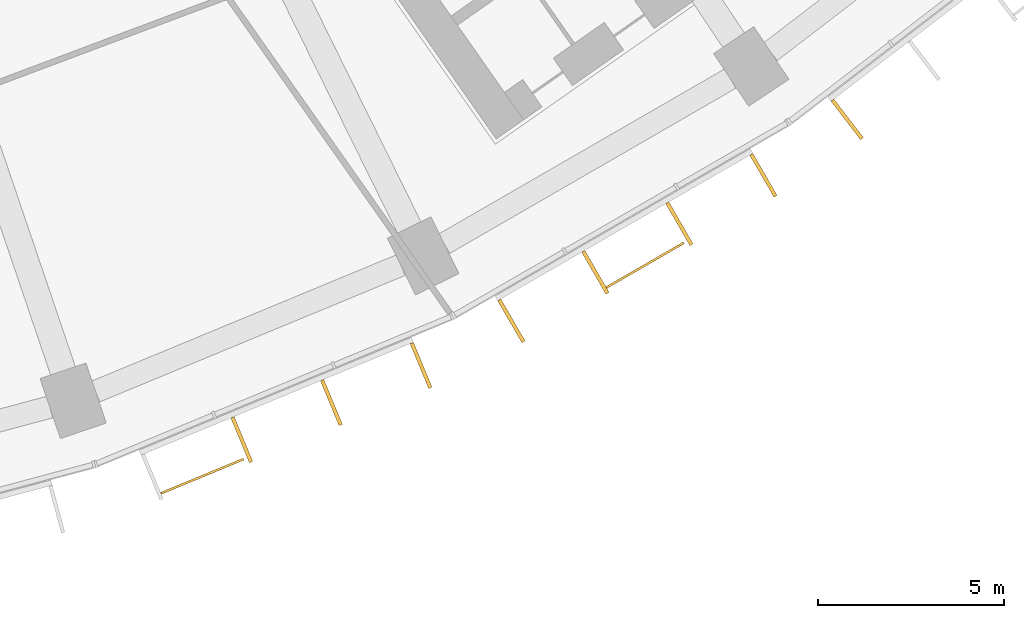
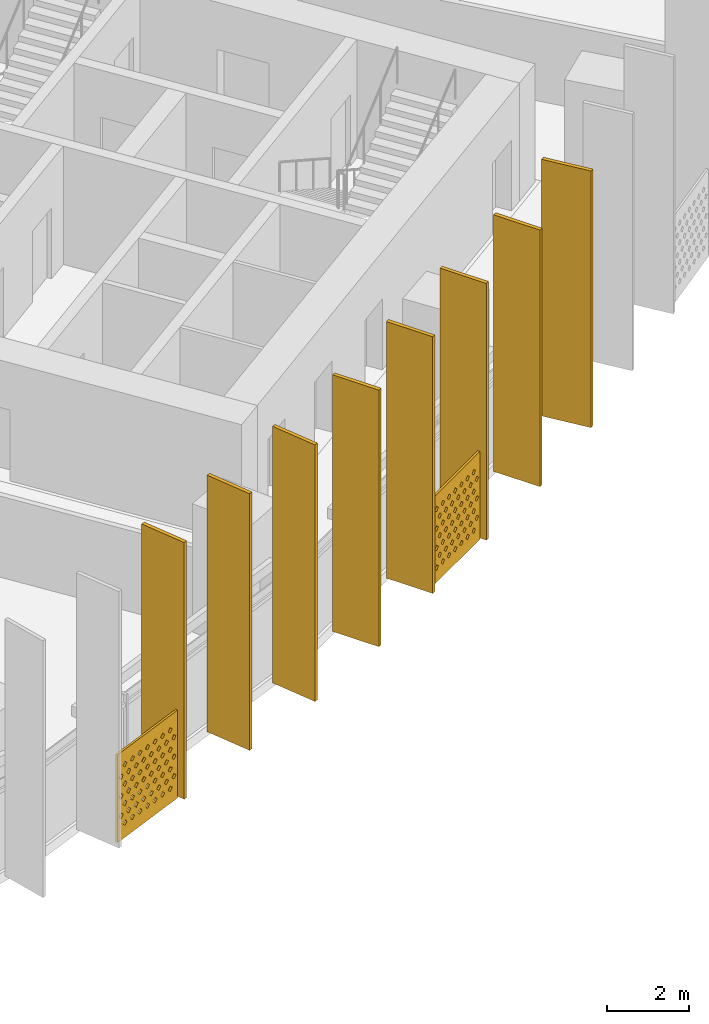
# One storey, part 31 of 33: 10 shading devices.
"""IFC4 building model written with IfcOpenShell, lengths in metres."""

import ifcopenshell
import ifcopenshell.guid

model = None  # the IFC model being written
_history = None  # IfcOwnerHistory: only IFC2X3 demands one
_inside = {}  # id of a spatial element -> (the spatial element, [elements in it])
_under = {}  # id of a project, library or spatial element -> (it, [spatial elements below it])
_declared = {}  # id of a project -> (the project, [libraries it declares])
_typed = {}  # id of a type object -> (the type object, [elements of that type])
_made_of = {}  # id of a material, layer set ... -> (it, [elements and type objects made of it])


def new_model(schema):
    """Start an empty IFC model of exactly this schema.

    Asked for "IFC4X3", IfcOpenShell would pick the latest addendum, in which some entities
    have other attributes; the version numbers below select the first issue.
    IFC2X3 requires an IfcOwnerHistory on every rooted entity: one is made here for all.
    """
    global model, _history
    if schema == "IFC4X3":
        model = ifcopenshell.file(schema_version=(4, 3, 0, 0))
    else:
        model = ifcopenshell.file(schema=schema)
    _inside.clear()
    _under.clear()
    _declared.clear()
    _typed.clear()
    _made_of.clear()
    _history = None
    if model.schema == "IFC2X3":
        org = make("IfcOrganization", Name="unknown")
        user = make(
            "IfcPersonAndOrganization",
            ThePerson=make("IfcPerson", FamilyName="unknown"),
            TheOrganization=org,
        )
        app = make(
            "IfcApplication",
            ApplicationDeveloper=org,
            Version="unknown",
            ApplicationFullName="unknown",
            ApplicationIdentifier="unknown",
        )
        _history = make(
            "IfcOwnerHistory",
            OwningUser=user,
            OwningApplication=app,
            ChangeAction="ADDED",
            CreationDate=0,
        )
    return model


def make(cls, **values):
    """One entity of the class cls with the attributes given. An attribute that is None is left unset."""
    return model.create_entity(
        cls, **{name: value for name, value in values.items() if value is not None}
    )


def rooted(cls, **values):
    """An entity with a GlobalId (a new one), such as an element, a storey or a relation."""
    return make(cls, GlobalId=ifcopenshell.guid.new(), OwnerHistory=_history, **values)


def si_unit(unit_type, name, prefix=None):
    """IfcSIUnit, for example si_unit("LENGTHUNIT", "METRE", prefix="MILLI")."""
    return make("IfcSIUnit", UnitType=unit_type, Prefix=prefix, Name=name)


def assignment(units):
    """IfcUnitAssignment: the units of a project."""
    return None if units is None else make("IfcUnitAssignment", Units=units)


def point(xyz):
    """IfcCartesianPoint."""
    return None if xyz is None else make("IfcCartesianPoint", Coordinates=xyz)


def direction(xyz):
    """IfcDirection."""
    return None if xyz is None else make("IfcDirection", DirectionRatios=xyz)


def frame(location, z_axis=None, x_axis=None):
    """IfcAxis2Placement3D, a coordinate frame: its origin and axes. An axis left out is left unset."""
    return make(
        "IfcAxis2Placement3D",
        Location=point(location),
        Axis=direction(z_axis),
        RefDirection=direction(x_axis),
    )


def frame_2d(location, x_axis=None):
    """IfcAxis2Placement2D, a coordinate frame in the plane: its origin and x axis."""
    return make(
        "IfcAxis2Placement2D", Location=point(location), RefDirection=direction(x_axis)
    )


def origin():
    """The frame at (0, 0, 0) with its axes left unset."""
    return frame((0.0, 0.0, 0.0))


def origin_2d():
    """The frame at (0, 0) in the plane with its x axis left unset."""
    return frame_2d((0.0, 0.0))


def place(relative_to, where):
    """IfcLocalPlacement: puts the frame where relative to a parent placement (None: the world)."""
    return make(
        "IfcLocalPlacement", PlacementRelTo=relative_to, RelativePlacement=where
    )


def context(
    kind, dimensions, precision=None, world=None, true_north=None, identifier=None
):
    """IfcGeometricRepresentationContext, for example the 3D "Model" context."""
    return make(
        "IfcGeometricRepresentationContext",
        ContextIdentifier=identifier,
        ContextType=kind,
        CoordinateSpaceDimension=dimensions,
        Precision=precision,
        WorldCoordinateSystem=world,
        TrueNorth=true_north,
    )


def subcontext(parent, identifier, kind, view, scale=None):
    """IfcGeometricRepresentationSubContext, for example "Body" below "Model"."""
    return make(
        "IfcGeometricRepresentationSubContext",
        ContextIdentifier=identifier,
        ContextType=kind,
        ParentContext=parent,
        TargetScale=scale,
        TargetView=view,
    )


def project(units=None, contexts=None):
    """IfcProject with its units and contexts."""
    return rooted(
        "IfcProject",
        Name="project",
        RepresentationContexts=contexts,
        UnitsInContext=assignment(units),
    )


def spatial(cls, under=None, at=None, **own):
    """A site, building, storey or space (cls), placed at a placement, below another one or the project."""
    s = rooted(cls, ObjectPlacement=at, **own)
    if under is not None:
        _under.setdefault(under.id(), (under, []))[1].append(s)
    return s


def polyline(points):
    """IfcPolyline through the points."""
    return make("IfcPolyline", Points=[point(p) for p in points])


def profile(cls, at=None, kind="AREA", **sizes):
    """A parametric profile (cls). Its sizes go by their IFC names, for example OverallWidth=200.0."""
    return make(cls, ProfileType=kind, Position=at, **sizes)


def rectangle(**sizes):
    """IfcRectangleProfileDef."""
    return profile("IfcRectangleProfileDef", **sizes)


def outline(outer, holes=None, kind="AREA"):
    """IfcArbitraryClosedProfileDef: a profile drawn as a closed curve; with holes, ...WithVoids."""
    if holes is None:
        return make("IfcArbitraryClosedProfileDef", ProfileType=kind, OuterCurve=outer)
    return make(
        "IfcArbitraryProfileDefWithVoids",
        ProfileType=kind,
        OuterCurve=outer,
        InnerCurves=holes,
    )


def extrude(swept, where, along, depth):
    """IfcExtrudedAreaSolid: the profile swept, set in the frame where, extruded along a direction by depth."""
    return make(
        "IfcExtrudedAreaSolid",
        SweptArea=swept,
        Position=where,
        ExtrudedDirection=direction(along),
        Depth=depth,
    )


def shape(context_of_items, identifier, shape_type, items):
    """IfcShapeRepresentation: the items that make up one representation, for example the "Body"."""
    return make(
        "IfcShapeRepresentation",
        ContextOfItems=context_of_items,
        RepresentationIdentifier=identifier,
        RepresentationType=shape_type,
        Items=items,
    )


def material(Name=None, Category=None):
    """IfcMaterial."""
    return make("IfcMaterial", Name=Name, Category=Category)


def material_profile(
    of_material, cross_section, Name=None, Category=None, Priority=None
):
    """IfcMaterialProfile: a cross section and its material."""
    return make(
        "IfcMaterialProfile",
        Name=Name,
        Material=of_material,
        Profile=cross_section,
        Priority=Priority,
        Category=Category,
    )


def profile_set(profiles, Name=None, composite=None):
    """IfcMaterialProfileSet."""
    return make(
        "IfcMaterialProfileSet",
        Name=Name,
        MaterialProfiles=profiles,
        CompositeProfile=composite,
    )


def made_of(thing, what):
    """Note that an element or type object is made of a material, layer set ...; save() writes the relation."""
    if what is not None:
        _made_of.setdefault(what.id(), (what, []))[1].append(thing)
    return thing


def type_object(cls, material=None, **own):
    """A type object (cls), such as IfcWallType, which elements share."""
    return made_of(rooted(cls, **own), material)


def element(
    cls,
    number,
    at=None,
    inside=None,
    cuts=None,
    type_object=None,
    material=None,
    context=None,
    identifier="Body",
    shape_type=None,
    held_by="IfcProductDefinitionShape",
    body=None,
    shapes=None,
    **own,
):
    """One element of the class cls, such as IfcWall. Its Tag is "e" and its number.

    at: its placement. inside: the storey or other place that contains it. cuts: it is an
    opening in that element (IfcRelVoidsElement). A single representation is given by context,
    identifier, shape_type and body (its items); several are given by shapes. held_by: the class
    of the entity that holds the representations. save() writes the other relations.
    """
    e = rooted(cls, Tag="e%d" % number, ObjectPlacement=at, **own)
    if body is not None:
        shapes = [shape(context, identifier, shape_type, body)]
    if shapes is not None:
        e.Representation = make(held_by, Representations=shapes)
    if inside is not None:
        _inside.setdefault(inside.id(), (inside, []))[1].append(e)
    if cuts is not None:
        rooted(
            "IfcRelVoidsElement", RelatingBuildingElement=cuts, RelatedOpeningElement=e
        )
    if type_object is not None:
        _typed.setdefault(type_object.id(), (type_object, []))[1].append(e)
    return made_of(e, material)


def aggregate(whole, parts):
    """IfcRelAggregates: a whole, such as a stair, and the parts it consists of."""
    return rooted("IfcRelAggregates", RelatingObject=whole, RelatedObjects=parts)


def save(model, path):
    """Write the relations noted so far, then the file.

    IfcRelAggregates (storeys below a building ...), IfcRelContainedInSpatialStructure (elements
    in a storey), IfcRelDefinesByType, IfcRelAssociatesMaterial and IfcRelDeclares: one each for
    every whole, place, type object, material and project.
    """
    for whole, parts in _under.values():
        aggregate(whole, parts)
    for where, things in _inside.values():
        rooted(
            "IfcRelContainedInSpatialStructure",
            RelatedElements=things,
            RelatingStructure=where,
        )
    for kind, things in _typed.values():
        rooted("IfcRelDefinesByType", RelatedObjects=things, RelatingType=kind)
    for what, things in _made_of.values():
        rooted("IfcRelAssociatesMaterial", RelatedObjects=things, RelatingMaterial=what)
    for by, libraries in _declared.values():
        rooted("IfcRelDeclares", RelatingContext=by, RelatedDefinitions=libraries)
    model.write(path)


model = new_model("IFC4")

# Units and contexts
model_context = context("Model", 3, precision=1e-05, world=origin(), true_north=direction((0.0, 1.0)))
body_context = subcontext(model_context, "Body", "Model", "MODEL_VIEW")
ifc_project = project(units=[si_unit("LENGTHUNIT", "METRE"), si_unit("AREAUNIT", "SQUARE_METRE"), si_unit("VOLUMEUNIT", "CUBIC_METRE"), si_unit("PLANEANGLEUNIT", "RADIAN"), si_unit("MASSUNIT", "GRAM", prefix="KILO")], contexts=[model_context])

# Site, building, storey
site_placement = place(None, origin())
site = spatial("IfcSite", under=ifc_project, at=site_placement, CompositionType="ELEMENT")
building_placement = place(site_placement, origin())
building = spatial("IfcBuilding", under=site, at=building_placement, Name="Qamariyya Broadcast Tower", CompositionType="ELEMENT")
storey_placement = place(building_placement, frame((0.0, 0.0, 78.5)))
storey = spatial("IfcBuildingStorey", under=building, at=storey_placement, Name="L16", CompositionType="ELEMENT", Elevation=78.5)

# Shading devices
ifc_material_1 = material(Name="Perforated glazed terracotta", Category="masonry")
ifc_material_profile_1 = material_profile(ifc_material_1, outline(polyline([(-1.199951171875, -1.300048828125), (1.199951171875, -1.300048828125), (1.199951171875, 1.300048828125), (-1.199951171875, 1.300048828125), (-1.199951171875, -1.300048828125)]), holes=[polyline([(-0.81494140625, -0.86669921875), (-0.89990234375, -0.78173828125), (-0.985107421875, -0.86669921875), (-0.89990234375, -0.95166015625), (-0.81494140625, -0.86669921875)]), polyline([(-0.514892578125, -0.86669921875), (-0.60009765625, -0.78173828125), (-0.68505859375, -0.86669921875), (-0.60009765625, -0.95166015625), (-0.514892578125, -0.86669921875)]), polyline([(-0.215087890625, -0.86669921875), (-0.300048828125, -0.78173828125), (-0.385009765625, -0.86669921875), (-0.300048828125, -0.95166015625), (-0.215087890625, -0.86669921875)]), polyline([(0.0849609375, -0.86669921875), (0.0, -0.78173828125), (-0.0849609375, -0.86669921875), (0.0, -0.95166015625), (0.0849609375, -0.86669921875)]), polyline([(0.385009765625, -0.86669921875), (0.300048828125, -0.78173828125), (0.215087890625, -0.86669921875), (0.300048828125, -0.95166015625), (0.385009765625, -0.86669921875)]), polyline([(0.68505859375, -0.86669921875), (0.60009765625, -0.78173828125), (0.514892578125, -0.86669921875), (0.60009765625, -0.95166015625), (0.68505859375, -0.86669921875)]), polyline([(0.985107421875, -0.86669921875), (0.89990234375, -0.78173828125), (0.81494140625, -0.86669921875), (0.89990234375, -0.95166015625), (0.985107421875, -0.86669921875)]), polyline([(-0.965087890625, -0.577880859375), (-1.050048828125, -0.49267578125), (-1.135009765625, -0.577880859375), (-1.050048828125, -0.662841796875), (-0.965087890625, -0.577880859375)]), polyline([(-0.6650390625, -0.577880859375), (-0.75, -0.49267578125), (-0.8349609375, -0.577880859375), (-0.75, -0.662841796875), (-0.6650390625, -0.577880859375)]), polyline([(-0.364990234375, -0.577880859375), (-0.449951171875, -0.49267578125), (-0.534912109375, -0.577880859375), (-0.449951171875, -0.662841796875), (-0.364990234375, -0.577880859375)]), polyline([(-0.06494140625, -0.577880859375), (-0.14990234375, -0.49267578125), (-0.235107421875, -0.577880859375), (-0.14990234375, -0.662841796875), (-0.06494140625, -0.577880859375)]), polyline([(0.235107421875, -0.577880859375), (0.14990234375, -0.49267578125), (0.06494140625, -0.577880859375), (0.14990234375, -0.662841796875), (0.235107421875, -0.577880859375)]), polyline([(0.534912109375, -0.577880859375), (0.449951171875, -0.49267578125), (0.364990234375, -0.577880859375), (0.449951171875, -0.662841796875), (0.534912109375, -0.577880859375)]), polyline([(0.8349609375, -0.577880859375), (0.75, -0.49267578125), (0.6650390625, -0.577880859375), (0.75, -0.662841796875), (0.8349609375, -0.577880859375)]), polyline([(1.135009765625, -0.577880859375), (1.050048828125, -0.49267578125), (0.965087890625, -0.577880859375), (1.050048828125, -0.662841796875), (1.135009765625, -0.577880859375)]), polyline([(-0.81494140625, -0.288818359375), (-0.89990234375, -0.203857421875), (-0.985107421875, -0.288818359375), (-0.89990234375, -0.373779296875), (-0.81494140625, -0.288818359375)]), polyline([(-0.514892578125, -0.288818359375), (-0.60009765625, -0.203857421875), (-0.68505859375, -0.288818359375), (-0.60009765625, -0.373779296875), (-0.514892578125, -0.288818359375)]), polyline([(-0.215087890625, -0.288818359375), (-0.300048828125, -0.203857421875), (-0.385009765625, -0.288818359375), (-0.300048828125, -0.373779296875), (-0.215087890625, -0.288818359375)]), polyline([(0.0849609375, -0.288818359375), (0.0, -0.203857421875), (-0.0849609375, -0.288818359375), (0.0, -0.373779296875), (0.0849609375, -0.288818359375)]), polyline([(0.385009765625, -0.288818359375), (0.300048828125, -0.203857421875), (0.215087890625, -0.288818359375), (0.300048828125, -0.373779296875), (0.385009765625, -0.288818359375)]), polyline([(0.68505859375, -0.288818359375), (0.60009765625, -0.203857421875), (0.514892578125, -0.288818359375), (0.60009765625, -0.373779296875), (0.68505859375, -0.288818359375)]), polyline([(0.985107421875, -0.288818359375), (0.89990234375, -0.203857421875), (0.81494140625, -0.288818359375), (0.89990234375, -0.373779296875), (0.985107421875, -0.288818359375)]), polyline([(-0.965087890625, 0.0), (-1.050048828125, 0.0849609375), (-1.135009765625, 0.0), (-1.050048828125, -0.0849609375), (-0.965087890625, 0.0)]), polyline([(-0.6650390625, 0.0), (-0.75, 0.0849609375), (-0.8349609375, 0.0), (-0.75, -0.0849609375), (-0.6650390625, 0.0)]), polyline([(-0.364990234375, 0.0), (-0.449951171875, 0.0849609375), (-0.534912109375, 0.0), (-0.449951171875, -0.0849609375), (-0.364990234375, 0.0)]), polyline([(-0.06494140625, 0.0), (-0.14990234375, 0.0849609375), (-0.235107421875, 0.0), (-0.14990234375, -0.0849609375), (-0.06494140625, 0.0)]), polyline([(0.235107421875, 0.0), (0.14990234375, 0.0849609375), (0.06494140625, 0.0), (0.14990234375, -0.0849609375), (0.235107421875, 0.0)]), polyline([(0.534912109375, 0.0), (0.449951171875, 0.0849609375), (0.364990234375, 0.0), (0.449951171875, -0.0849609375), (0.534912109375, 0.0)]), polyline([(0.8349609375, 0.0), (0.75, 0.0849609375), (0.6650390625, 0.0), (0.75, -0.0849609375), (0.8349609375, 0.0)]), polyline([(1.135009765625, 0.0), (1.050048828125, 0.0849609375), (0.965087890625, 0.0), (1.050048828125, -0.0849609375), (1.135009765625, 0.0)]), polyline([(-0.81494140625, 0.288818359375), (-0.89990234375, 0.373779296875), (-0.985107421875, 0.288818359375), (-0.89990234375, 0.203857421875), (-0.81494140625, 0.288818359375)]), polyline([(-0.514892578125, 0.288818359375), (-0.60009765625, 0.373779296875), (-0.68505859375, 0.288818359375), (-0.60009765625, 0.203857421875), (-0.514892578125, 0.288818359375)]), polyline([(-0.215087890625, 0.288818359375), (-0.300048828125, 0.373779296875), (-0.385009765625, 0.288818359375), (-0.300048828125, 0.203857421875), (-0.215087890625, 0.288818359375)]), polyline([(0.0849609375, 0.288818359375), (0.0, 0.373779296875), (-0.0849609375, 0.288818359375), (0.0, 0.203857421875), (0.0849609375, 0.288818359375)]), polyline([(0.385009765625, 0.288818359375), (0.300048828125, 0.373779296875), (0.215087890625, 0.288818359375), (0.300048828125, 0.203857421875), (0.385009765625, 0.288818359375)]), polyline([(0.68505859375, 0.288818359375), (0.60009765625, 0.373779296875), (0.514892578125, 0.288818359375), (0.60009765625, 0.203857421875), (0.68505859375, 0.288818359375)]), polyline([(0.985107421875, 0.288818359375), (0.89990234375, 0.373779296875), (0.81494140625, 0.288818359375), (0.89990234375, 0.203857421875), (0.985107421875, 0.288818359375)]), polyline([(-0.965087890625, 0.577880859375), (-1.050048828125, 0.662841796875), (-1.135009765625, 0.577880859375), (-1.050048828125, 0.49267578125), (-0.965087890625, 0.577880859375)]), polyline([(-0.6650390625, 0.577880859375), (-0.75, 0.662841796875), (-0.8349609375, 0.577880859375), (-0.75, 0.49267578125), (-0.6650390625, 0.577880859375)]), polyline([(-0.364990234375, 0.577880859375), (-0.449951171875, 0.662841796875), (-0.534912109375, 0.577880859375), (-0.449951171875, 0.49267578125), (-0.364990234375, 0.577880859375)]), polyline([(-0.06494140625, 0.577880859375), (-0.14990234375, 0.662841796875), (-0.235107421875, 0.577880859375), (-0.14990234375, 0.49267578125), (-0.06494140625, 0.577880859375)]), polyline([(0.235107421875, 0.577880859375), (0.14990234375, 0.662841796875), (0.06494140625, 0.577880859375), (0.14990234375, 0.49267578125), (0.235107421875, 0.577880859375)]), polyline([(0.534912109375, 0.577880859375), (0.449951171875, 0.662841796875), (0.364990234375, 0.577880859375), (0.449951171875, 0.49267578125), (0.534912109375, 0.577880859375)]), polyline([(0.8349609375, 0.577880859375), (0.75, 0.662841796875), (0.6650390625, 0.577880859375), (0.75, 0.49267578125), (0.8349609375, 0.577880859375)]), polyline([(1.135009765625, 0.577880859375), (1.050048828125, 0.662841796875), (0.965087890625, 0.577880859375), (1.050048828125, 0.49267578125), (1.135009765625, 0.577880859375)]), polyline([(-0.81494140625, 0.86669921875), (-0.89990234375, 0.95166015625), (-0.985107421875, 0.86669921875), (-0.89990234375, 0.78173828125), (-0.81494140625, 0.86669921875)]), polyline([(-0.514892578125, 0.86669921875), (-0.60009765625, 0.95166015625), (-0.68505859375, 0.86669921875), (-0.60009765625, 0.78173828125), (-0.514892578125, 0.86669921875)]), polyline([(-0.215087890625, 0.86669921875), (-0.300048828125, 0.95166015625), (-0.385009765625, 0.86669921875), (-0.300048828125, 0.78173828125), (-0.215087890625, 0.86669921875)]), polyline([(0.0849609375, 0.86669921875), (0.0, 0.95166015625), (-0.0849609375, 0.86669921875), (0.0, 0.78173828125), (0.0849609375, 0.86669921875)]), polyline([(0.385009765625, 0.86669921875), (0.300048828125, 0.95166015625), (0.215087890625, 0.86669921875), (0.300048828125, 0.78173828125), (0.385009765625, 0.86669921875)]), polyline([(0.68505859375, 0.86669921875), (0.60009765625, 0.95166015625), (0.514892578125, 0.86669921875), (0.60009765625, 0.78173828125), (0.68505859375, 0.86669921875)]), polyline([(0.985107421875, 0.86669921875), (0.89990234375, 0.95166015625), (0.81494140625, 0.86669921875), (0.89990234375, 0.78173828125), (0.985107421875, 0.86669921875)])]))
ifc_profile_set_1 = profile_set([ifc_material_profile_1], Name="Perforated glazed terracotta")
shading_device_type_1 = type_object("IfcShadingDeviceType", Name="Perforated terracotta screen 2400 x 2600", PredefinedType="USERDEFINED", material=ifc_profile_set_1)
shading_device_1_placement = place(storey_placement, frame((28.44677734375, -75.61962890625, 1.35009765625), z_axis=(0.382591441855, -0.923917630863, 0.0), x_axis=(0.923917630863, 0.382591441855, 0.0)))
element("IfcShadingDevice", 1, at=shading_device_1_placement, inside=storey, type_object=shading_device_type_1, Name="e-scr-L16-11-0", ObjectType="SCREEN", PredefinedType="USERDEFINED", context=body_context, shape_type="SweptSolid", body=[
    extrude(outline(polyline([(-1.199951171875, -1.300048828125), (1.199951171875, -1.300048828125), (1.199951171875, 1.300048828125), (-1.199951171875, 1.300048828125), (-1.199951171875, -1.300048828125)]), holes=[polyline([(-0.81494140625, -0.86669921875), (-0.89990234375, -0.78173828125), (-0.985107421875, -0.86669921875), (-0.89990234375, -0.95166015625), (-0.81494140625, -0.86669921875)]), polyline([(-0.514892578125, -0.86669921875), (-0.60009765625, -0.78173828125), (-0.68505859375, -0.86669921875), (-0.60009765625, -0.95166015625), (-0.514892578125, -0.86669921875)]), polyline([(-0.215087890625, -0.86669921875), (-0.300048828125, -0.78173828125), (-0.385009765625, -0.86669921875), (-0.300048828125, -0.95166015625), (-0.215087890625, -0.86669921875)]), polyline([(0.0849609375, -0.86669921875), (0.0, -0.78173828125), (-0.0849609375, -0.86669921875), (0.0, -0.95166015625), (0.0849609375, -0.86669921875)]), polyline([(0.385009765625, -0.86669921875), (0.300048828125, -0.78173828125), (0.215087890625, -0.86669921875), (0.300048828125, -0.95166015625), (0.385009765625, -0.86669921875)]), polyline([(0.68505859375, -0.86669921875), (0.60009765625, -0.78173828125), (0.514892578125, -0.86669921875), (0.60009765625, -0.95166015625), (0.68505859375, -0.86669921875)]), polyline([(0.985107421875, -0.86669921875), (0.89990234375, -0.78173828125), (0.81494140625, -0.86669921875), (0.89990234375, -0.95166015625), (0.985107421875, -0.86669921875)]), polyline([(-0.965087890625, -0.577880859375), (-1.050048828125, -0.49267578125), (-1.135009765625, -0.577880859375), (-1.050048828125, -0.662841796875), (-0.965087890625, -0.577880859375)]), polyline([(-0.6650390625, -0.577880859375), (-0.75, -0.49267578125), (-0.8349609375, -0.577880859375), (-0.75, -0.662841796875), (-0.6650390625, -0.577880859375)]), polyline([(-0.364990234375, -0.577880859375), (-0.449951171875, -0.49267578125), (-0.534912109375, -0.577880859375), (-0.449951171875, -0.662841796875), (-0.364990234375, -0.577880859375)]), polyline([(-0.06494140625, -0.577880859375), (-0.14990234375, -0.49267578125), (-0.235107421875, -0.577880859375), (-0.14990234375, -0.662841796875), (-0.06494140625, -0.577880859375)]), polyline([(0.235107421875, -0.577880859375), (0.14990234375, -0.49267578125), (0.06494140625, -0.577880859375), (0.14990234375, -0.662841796875), (0.235107421875, -0.577880859375)]), polyline([(0.534912109375, -0.577880859375), (0.449951171875, -0.49267578125), (0.364990234375, -0.577880859375), (0.449951171875, -0.662841796875), (0.534912109375, -0.577880859375)]), polyline([(0.8349609375, -0.577880859375), (0.75, -0.49267578125), (0.6650390625, -0.577880859375), (0.75, -0.662841796875), (0.8349609375, -0.577880859375)]), polyline([(1.135009765625, -0.577880859375), (1.050048828125, -0.49267578125), (0.965087890625, -0.577880859375), (1.050048828125, -0.662841796875), (1.135009765625, -0.577880859375)]), polyline([(-0.81494140625, -0.288818359375), (-0.89990234375, -0.203857421875), (-0.985107421875, -0.288818359375), (-0.89990234375, -0.373779296875), (-0.81494140625, -0.288818359375)]), polyline([(-0.514892578125, -0.288818359375), (-0.60009765625, -0.203857421875), (-0.68505859375, -0.288818359375), (-0.60009765625, -0.373779296875), (-0.514892578125, -0.288818359375)]), polyline([(-0.215087890625, -0.288818359375), (-0.300048828125, -0.203857421875), (-0.385009765625, -0.288818359375), (-0.300048828125, -0.373779296875), (-0.215087890625, -0.288818359375)]), polyline([(0.0849609375, -0.288818359375), (0.0, -0.203857421875), (-0.0849609375, -0.288818359375), (0.0, -0.373779296875), (0.0849609375, -0.288818359375)]), polyline([(0.385009765625, -0.288818359375), (0.300048828125, -0.203857421875), (0.215087890625, -0.288818359375), (0.300048828125, -0.373779296875), (0.385009765625, -0.288818359375)]), polyline([(0.68505859375, -0.288818359375), (0.60009765625, -0.203857421875), (0.514892578125, -0.288818359375), (0.60009765625, -0.373779296875), (0.68505859375, -0.288818359375)]), polyline([(0.985107421875, -0.288818359375), (0.89990234375, -0.203857421875), (0.81494140625, -0.288818359375), (0.89990234375, -0.373779296875), (0.985107421875, -0.288818359375)]), polyline([(-0.965087890625, 0.0), (-1.050048828125, 0.0849609375), (-1.135009765625, 0.0), (-1.050048828125, -0.0849609375), (-0.965087890625, 0.0)]), polyline([(-0.6650390625, 0.0), (-0.75, 0.0849609375), (-0.8349609375, 0.0), (-0.75, -0.0849609375), (-0.6650390625, 0.0)]), polyline([(-0.364990234375, 0.0), (-0.449951171875, 0.0849609375), (-0.534912109375, 0.0), (-0.449951171875, -0.0849609375), (-0.364990234375, 0.0)]), polyline([(-0.06494140625, 0.0), (-0.14990234375, 0.0849609375), (-0.235107421875, 0.0), (-0.14990234375, -0.0849609375), (-0.06494140625, 0.0)]), polyline([(0.235107421875, 0.0), (0.14990234375, 0.0849609375), (0.06494140625, 0.0), (0.14990234375, -0.0849609375), (0.235107421875, 0.0)]), polyline([(0.534912109375, 0.0), (0.449951171875, 0.0849609375), (0.364990234375, 0.0), (0.449951171875, -0.0849609375), (0.534912109375, 0.0)]), polyline([(0.8349609375, 0.0), (0.75, 0.0849609375), (0.6650390625, 0.0), (0.75, -0.0849609375), (0.8349609375, 0.0)]), polyline([(1.135009765625, 0.0), (1.050048828125, 0.0849609375), (0.965087890625, 0.0), (1.050048828125, -0.0849609375), (1.135009765625, 0.0)]), polyline([(-0.81494140625, 0.288818359375), (-0.89990234375, 0.373779296875), (-0.985107421875, 0.288818359375), (-0.89990234375, 0.203857421875), (-0.81494140625, 0.288818359375)]), polyline([(-0.514892578125, 0.288818359375), (-0.60009765625, 0.373779296875), (-0.68505859375, 0.288818359375), (-0.60009765625, 0.203857421875), (-0.514892578125, 0.288818359375)]), polyline([(-0.215087890625, 0.288818359375), (-0.300048828125, 0.373779296875), (-0.385009765625, 0.288818359375), (-0.300048828125, 0.203857421875), (-0.215087890625, 0.288818359375)]), polyline([(0.0849609375, 0.288818359375), (0.0, 0.373779296875), (-0.0849609375, 0.288818359375), (0.0, 0.203857421875), (0.0849609375, 0.288818359375)]), polyline([(0.385009765625, 0.288818359375), (0.300048828125, 0.373779296875), (0.215087890625, 0.288818359375), (0.300048828125, 0.203857421875), (0.385009765625, 0.288818359375)]), polyline([(0.68505859375, 0.288818359375), (0.60009765625, 0.373779296875), (0.514892578125, 0.288818359375), (0.60009765625, 0.203857421875), (0.68505859375, 0.288818359375)]), polyline([(0.985107421875, 0.288818359375), (0.89990234375, 0.373779296875), (0.81494140625, 0.288818359375), (0.89990234375, 0.203857421875), (0.985107421875, 0.288818359375)]), polyline([(-0.965087890625, 0.577880859375), (-1.050048828125, 0.662841796875), (-1.135009765625, 0.577880859375), (-1.050048828125, 0.49267578125), (-0.965087890625, 0.577880859375)]), polyline([(-0.6650390625, 0.577880859375), (-0.75, 0.662841796875), (-0.8349609375, 0.577880859375), (-0.75, 0.49267578125), (-0.6650390625, 0.577880859375)]), polyline([(-0.364990234375, 0.577880859375), (-0.449951171875, 0.662841796875), (-0.534912109375, 0.577880859375), (-0.449951171875, 0.49267578125), (-0.364990234375, 0.577880859375)]), polyline([(-0.06494140625, 0.577880859375), (-0.14990234375, 0.662841796875), (-0.235107421875, 0.577880859375), (-0.14990234375, 0.49267578125), (-0.06494140625, 0.577880859375)]), polyline([(0.235107421875, 0.577880859375), (0.14990234375, 0.662841796875), (0.06494140625, 0.577880859375), (0.14990234375, 0.49267578125), (0.235107421875, 0.577880859375)]), polyline([(0.534912109375, 0.577880859375), (0.449951171875, 0.662841796875), (0.364990234375, 0.577880859375), (0.449951171875, 0.49267578125), (0.534912109375, 0.577880859375)]), polyline([(0.8349609375, 0.577880859375), (0.75, 0.662841796875), (0.6650390625, 0.577880859375), (0.75, 0.49267578125), (0.8349609375, 0.577880859375)]), polyline([(1.135009765625, 0.577880859375), (1.050048828125, 0.662841796875), (0.965087890625, 0.577880859375), (1.050048828125, 0.49267578125), (1.135009765625, 0.577880859375)]), polyline([(-0.81494140625, 0.86669921875), (-0.89990234375, 0.95166015625), (-0.985107421875, 0.86669921875), (-0.89990234375, 0.78173828125), (-0.81494140625, 0.86669921875)]), polyline([(-0.514892578125, 0.86669921875), (-0.60009765625, 0.95166015625), (-0.68505859375, 0.86669921875), (-0.60009765625, 0.78173828125), (-0.514892578125, 0.86669921875)]), polyline([(-0.215087890625, 0.86669921875), (-0.300048828125, 0.95166015625), (-0.385009765625, 0.86669921875), (-0.300048828125, 0.78173828125), (-0.215087890625, 0.86669921875)]), polyline([(0.0849609375, 0.86669921875), (0.0, 0.95166015625), (-0.0849609375, 0.86669921875), (0.0, 0.78173828125), (0.0849609375, 0.86669921875)]), polyline([(0.385009765625, 0.86669921875), (0.300048828125, 0.95166015625), (0.215087890625, 0.86669921875), (0.300048828125, 0.78173828125), (0.385009765625, 0.86669921875)]), polyline([(0.68505859375, 0.86669921875), (0.60009765625, 0.95166015625), (0.514892578125, 0.86669921875), (0.60009765625, 0.78173828125), (0.68505859375, 0.86669921875)]), polyline([(0.985107421875, 0.86669921875), (0.89990234375, 0.95166015625), (0.81494140625, 0.86669921875), (0.89990234375, 0.78173828125), (0.985107421875, 0.86669921875)])]), origin(), (0.0, 0.0, 1.0), 0.06005859375),
])
shading_device_2_placement = place(storey_placement, frame((40.329345703125, -69.957275390625, 1.35009765625), z_axis=(0.500074377092, -0.865982457891, 0.0), x_axis=(0.865982457891, 0.500074377092, 0.0)))
element("IfcShadingDevice", 2, at=shading_device_2_placement, inside=storey, type_object=shading_device_type_1, Name="e-scr-L16-12-1", ObjectType="SCREEN", PredefinedType="USERDEFINED", context=body_context, shape_type="SweptSolid", body=[
    extrude(outline(polyline([(-1.199951171875, -1.300048828125), (1.199951171875, -1.300048828125), (1.199951171875, 1.300048828125), (-1.199951171875, 1.300048828125), (-1.199951171875, -1.300048828125)]), holes=[polyline([(-0.81494140625, -0.86669921875), (-0.89990234375, -0.78173828125), (-0.985107421875, -0.86669921875), (-0.89990234375, -0.95166015625), (-0.81494140625, -0.86669921875)]), polyline([(-0.514892578125, -0.86669921875), (-0.60009765625, -0.78173828125), (-0.68505859375, -0.86669921875), (-0.60009765625, -0.95166015625), (-0.514892578125, -0.86669921875)]), polyline([(-0.215087890625, -0.86669921875), (-0.300048828125, -0.78173828125), (-0.385009765625, -0.86669921875), (-0.300048828125, -0.95166015625), (-0.215087890625, -0.86669921875)]), polyline([(0.0849609375, -0.86669921875), (0.0, -0.78173828125), (-0.0849609375, -0.86669921875), (0.0, -0.95166015625), (0.0849609375, -0.86669921875)]), polyline([(0.385009765625, -0.86669921875), (0.300048828125, -0.78173828125), (0.215087890625, -0.86669921875), (0.300048828125, -0.95166015625), (0.385009765625, -0.86669921875)]), polyline([(0.68505859375, -0.86669921875), (0.60009765625, -0.78173828125), (0.514892578125, -0.86669921875), (0.60009765625, -0.95166015625), (0.68505859375, -0.86669921875)]), polyline([(0.985107421875, -0.86669921875), (0.89990234375, -0.78173828125), (0.81494140625, -0.86669921875), (0.89990234375, -0.95166015625), (0.985107421875, -0.86669921875)]), polyline([(-0.965087890625, -0.577880859375), (-1.050048828125, -0.49267578125), (-1.135009765625, -0.577880859375), (-1.050048828125, -0.662841796875), (-0.965087890625, -0.577880859375)]), polyline([(-0.6650390625, -0.577880859375), (-0.75, -0.49267578125), (-0.8349609375, -0.577880859375), (-0.75, -0.662841796875), (-0.6650390625, -0.577880859375)]), polyline([(-0.364990234375, -0.577880859375), (-0.449951171875, -0.49267578125), (-0.534912109375, -0.577880859375), (-0.449951171875, -0.662841796875), (-0.364990234375, -0.577880859375)]), polyline([(-0.06494140625, -0.577880859375), (-0.14990234375, -0.49267578125), (-0.235107421875, -0.577880859375), (-0.14990234375, -0.662841796875), (-0.06494140625, -0.577880859375)]), polyline([(0.235107421875, -0.577880859375), (0.14990234375, -0.49267578125), (0.06494140625, -0.577880859375), (0.14990234375, -0.662841796875), (0.235107421875, -0.577880859375)]), polyline([(0.534912109375, -0.577880859375), (0.449951171875, -0.49267578125), (0.364990234375, -0.577880859375), (0.449951171875, -0.662841796875), (0.534912109375, -0.577880859375)]), polyline([(0.8349609375, -0.577880859375), (0.75, -0.49267578125), (0.6650390625, -0.577880859375), (0.75, -0.662841796875), (0.8349609375, -0.577880859375)]), polyline([(1.135009765625, -0.577880859375), (1.050048828125, -0.49267578125), (0.965087890625, -0.577880859375), (1.050048828125, -0.662841796875), (1.135009765625, -0.577880859375)]), polyline([(-0.81494140625, -0.288818359375), (-0.89990234375, -0.203857421875), (-0.985107421875, -0.288818359375), (-0.89990234375, -0.373779296875), (-0.81494140625, -0.288818359375)]), polyline([(-0.514892578125, -0.288818359375), (-0.60009765625, -0.203857421875), (-0.68505859375, -0.288818359375), (-0.60009765625, -0.373779296875), (-0.514892578125, -0.288818359375)]), polyline([(-0.215087890625, -0.288818359375), (-0.300048828125, -0.203857421875), (-0.385009765625, -0.288818359375), (-0.300048828125, -0.373779296875), (-0.215087890625, -0.288818359375)]), polyline([(0.0849609375, -0.288818359375), (0.0, -0.203857421875), (-0.0849609375, -0.288818359375), (0.0, -0.373779296875), (0.0849609375, -0.288818359375)]), polyline([(0.385009765625, -0.288818359375), (0.300048828125, -0.203857421875), (0.215087890625, -0.288818359375), (0.300048828125, -0.373779296875), (0.385009765625, -0.288818359375)]), polyline([(0.68505859375, -0.288818359375), (0.60009765625, -0.203857421875), (0.514892578125, -0.288818359375), (0.60009765625, -0.373779296875), (0.68505859375, -0.288818359375)]), polyline([(0.985107421875, -0.288818359375), (0.89990234375, -0.203857421875), (0.81494140625, -0.288818359375), (0.89990234375, -0.373779296875), (0.985107421875, -0.288818359375)]), polyline([(-0.965087890625, 0.0), (-1.050048828125, 0.0849609375), (-1.135009765625, 0.0), (-1.050048828125, -0.0849609375), (-0.965087890625, 0.0)]), polyline([(-0.6650390625, 0.0), (-0.75, 0.0849609375), (-0.8349609375, 0.0), (-0.75, -0.0849609375), (-0.6650390625, 0.0)]), polyline([(-0.364990234375, 0.0), (-0.449951171875, 0.0849609375), (-0.534912109375, 0.0), (-0.449951171875, -0.0849609375), (-0.364990234375, 0.0)]), polyline([(-0.06494140625, 0.0), (-0.14990234375, 0.0849609375), (-0.235107421875, 0.0), (-0.14990234375, -0.0849609375), (-0.06494140625, 0.0)]), polyline([(0.235107421875, 0.0), (0.14990234375, 0.0849609375), (0.06494140625, 0.0), (0.14990234375, -0.0849609375), (0.235107421875, 0.0)]), polyline([(0.534912109375, 0.0), (0.449951171875, 0.0849609375), (0.364990234375, 0.0), (0.449951171875, -0.0849609375), (0.534912109375, 0.0)]), polyline([(0.8349609375, 0.0), (0.75, 0.0849609375), (0.6650390625, 0.0), (0.75, -0.0849609375), (0.8349609375, 0.0)]), polyline([(1.135009765625, 0.0), (1.050048828125, 0.0849609375), (0.965087890625, 0.0), (1.050048828125, -0.0849609375), (1.135009765625, 0.0)]), polyline([(-0.81494140625, 0.288818359375), (-0.89990234375, 0.373779296875), (-0.985107421875, 0.288818359375), (-0.89990234375, 0.203857421875), (-0.81494140625, 0.288818359375)]), polyline([(-0.514892578125, 0.288818359375), (-0.60009765625, 0.373779296875), (-0.68505859375, 0.288818359375), (-0.60009765625, 0.203857421875), (-0.514892578125, 0.288818359375)]), polyline([(-0.215087890625, 0.288818359375), (-0.300048828125, 0.373779296875), (-0.385009765625, 0.288818359375), (-0.300048828125, 0.203857421875), (-0.215087890625, 0.288818359375)]), polyline([(0.0849609375, 0.288818359375), (0.0, 0.373779296875), (-0.0849609375, 0.288818359375), (0.0, 0.203857421875), (0.0849609375, 0.288818359375)]), polyline([(0.385009765625, 0.288818359375), (0.300048828125, 0.373779296875), (0.215087890625, 0.288818359375), (0.300048828125, 0.203857421875), (0.385009765625, 0.288818359375)]), polyline([(0.68505859375, 0.288818359375), (0.60009765625, 0.373779296875), (0.514892578125, 0.288818359375), (0.60009765625, 0.203857421875), (0.68505859375, 0.288818359375)]), polyline([(0.985107421875, 0.288818359375), (0.89990234375, 0.373779296875), (0.81494140625, 0.288818359375), (0.89990234375, 0.203857421875), (0.985107421875, 0.288818359375)]), polyline([(-0.965087890625, 0.577880859375), (-1.050048828125, 0.662841796875), (-1.135009765625, 0.577880859375), (-1.050048828125, 0.49267578125), (-0.965087890625, 0.577880859375)]), polyline([(-0.6650390625, 0.577880859375), (-0.75, 0.662841796875), (-0.8349609375, 0.577880859375), (-0.75, 0.49267578125), (-0.6650390625, 0.577880859375)]), polyline([(-0.364990234375, 0.577880859375), (-0.449951171875, 0.662841796875), (-0.534912109375, 0.577880859375), (-0.449951171875, 0.49267578125), (-0.364990234375, 0.577880859375)]), polyline([(-0.06494140625, 0.577880859375), (-0.14990234375, 0.662841796875), (-0.235107421875, 0.577880859375), (-0.14990234375, 0.49267578125), (-0.06494140625, 0.577880859375)]), polyline([(0.235107421875, 0.577880859375), (0.14990234375, 0.662841796875), (0.06494140625, 0.577880859375), (0.14990234375, 0.49267578125), (0.235107421875, 0.577880859375)]), polyline([(0.534912109375, 0.577880859375), (0.449951171875, 0.662841796875), (0.364990234375, 0.577880859375), (0.449951171875, 0.49267578125), (0.534912109375, 0.577880859375)]), polyline([(0.8349609375, 0.577880859375), (0.75, 0.662841796875), (0.6650390625, 0.577880859375), (0.75, 0.49267578125), (0.8349609375, 0.577880859375)]), polyline([(1.135009765625, 0.577880859375), (1.050048828125, 0.662841796875), (0.965087890625, 0.577880859375), (1.050048828125, 0.49267578125), (1.135009765625, 0.577880859375)]), polyline([(-0.81494140625, 0.86669921875), (-0.89990234375, 0.95166015625), (-0.985107421875, 0.86669921875), (-0.89990234375, 0.78173828125), (-0.81494140625, 0.86669921875)]), polyline([(-0.514892578125, 0.86669921875), (-0.60009765625, 0.95166015625), (-0.68505859375, 0.86669921875), (-0.60009765625, 0.78173828125), (-0.514892578125, 0.86669921875)]), polyline([(-0.215087890625, 0.86669921875), (-0.300048828125, 0.95166015625), (-0.385009765625, 0.86669921875), (-0.300048828125, 0.78173828125), (-0.215087890625, 0.86669921875)]), polyline([(0.0849609375, 0.86669921875), (0.0, 0.95166015625), (-0.0849609375, 0.86669921875), (0.0, 0.78173828125), (0.0849609375, 0.86669921875)]), polyline([(0.385009765625, 0.86669921875), (0.300048828125, 0.95166015625), (0.215087890625, 0.86669921875), (0.300048828125, 0.78173828125), (0.385009765625, 0.86669921875)]), polyline([(0.68505859375, 0.86669921875), (0.60009765625, 0.95166015625), (0.514892578125, 0.86669921875), (0.60009765625, 0.78173828125), (0.68505859375, 0.86669921875)]), polyline([(0.985107421875, 0.86669921875), (0.89990234375, 0.95166015625), (0.81494140625, 0.86669921875), (0.89990234375, 0.78173828125), (0.985107421875, 0.86669921875)])]), origin(), (0.0, 0.0, 1.0), 0.06005859375),
])
ifc_material_2 = material(Name="Glazed terracotta", Category="masonry")
ifc_material_profile_2 = material_profile(ifc_material_2, rectangle(XDim=1.300048828125, YDim=0.10009765625, at=origin_2d()))
ifc_profile_set_2 = profile_set([ifc_material_profile_2], Name="Glazed terracotta")
shading_device_type_2 = type_object("IfcShadingDeviceType", Name="Terracotta fin 100 x 1300", PredefinedType="USERDEFINED", material=ifc_profile_set_2)
for number, where, z_axis, x_axis, name in (
    (3, (29.518310546875, -74.6669921875, 0.0), (0.0, 0.0, 1.0), (0.382683432365, -0.923879532511, 0.0), "e-fin-L16-11-1"),
    (4, (31.9248046875, -73.670166015625, 0.0), (0.0, 0.0, 1.0), (0.382683432365, -0.923879532511, 0.0), "e-fin-L16-11-2"),
    (5, (34.331298828125, -72.67333984375, 0.0), (0.0, 0.0, 1.0), (0.382683432365, -0.923879532511, 0.0), "e-fin-L16-11-3"),
    (6, (36.756103515625, -71.4775390625, 0.0), (0.0, 0.0, 1.0), (0.5, -0.866025403784, 0.0), "e-fin-L16-12-0"),
    (7, (39.011962890625, -70.17529296875, 0.0), (0.0, 0.0, 1.0), (0.5, -0.866025403784, 0.0), "e-fin-L16-12-1"),
    (8, (41.267578125, -68.872802734375, 0.0), (0.0, 0.0, 1.0), (0.5, -0.866025403784, 0.0), "e-fin-L16-12-2"),
    (9, (43.523193359375, -67.570556640625, 0.0), (0.0, 0.0, 1.0), (0.5, -0.866025403784, 0.0), "e-fin-L16-12-3"),
    (10, (45.771484375, -66.068359375, 0.0), (0.0, 0.0, 1.0), (0.608761429009, -0.793353340291, 0.0), "e-fin-L16-13-0"),
):
    element("IfcShadingDevice", number, at=place(storey_placement, frame(where, z_axis=z_axis, x_axis=x_axis)), inside=storey, type_object=shading_device_type_2, Name=name, ObjectType="FIN", PredefinedType="USERDEFINED", context=body_context, shape_type="SweptSolid", body=[
        extrude(rectangle(XDim=1.300048828125, YDim=0.10009765625, at=origin_2d()), origin(), (0.0, 0.0, 1.0), 7.60009765625),
    ])

save(model, "model.ifc")
